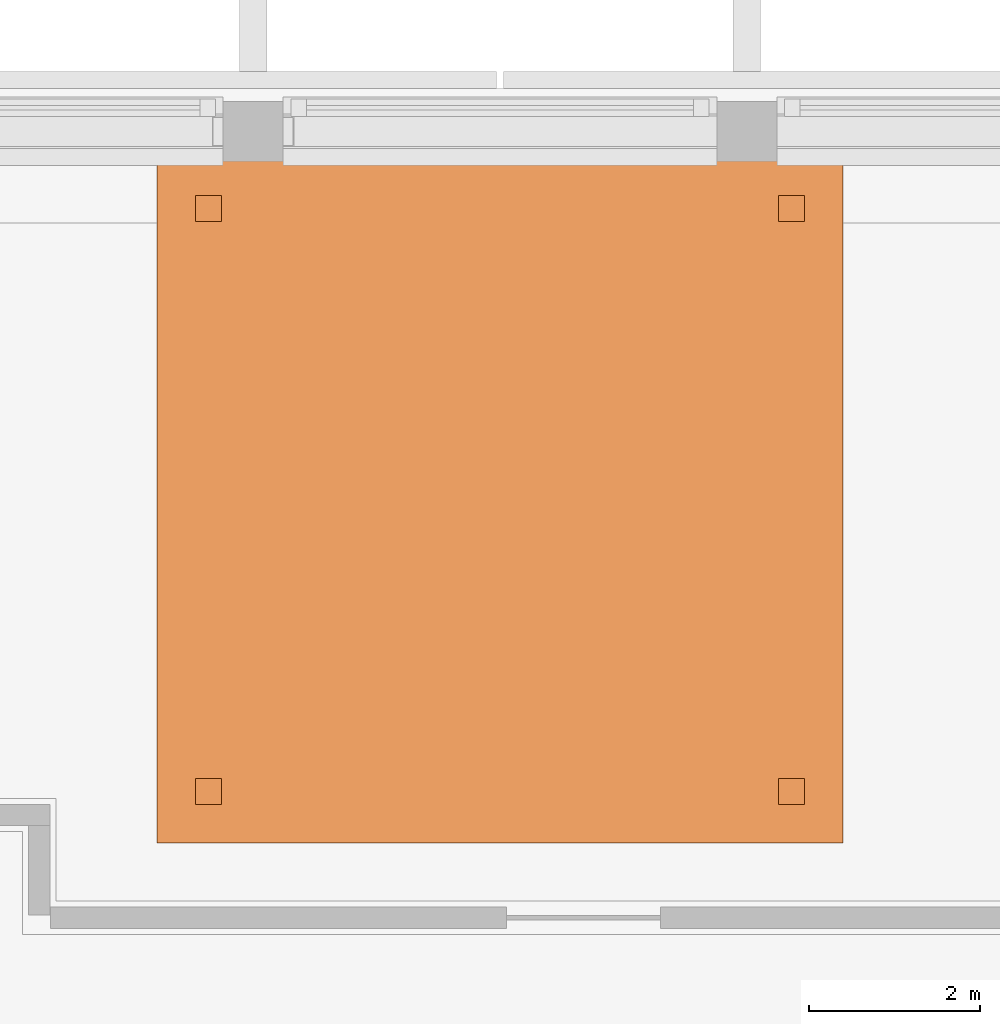
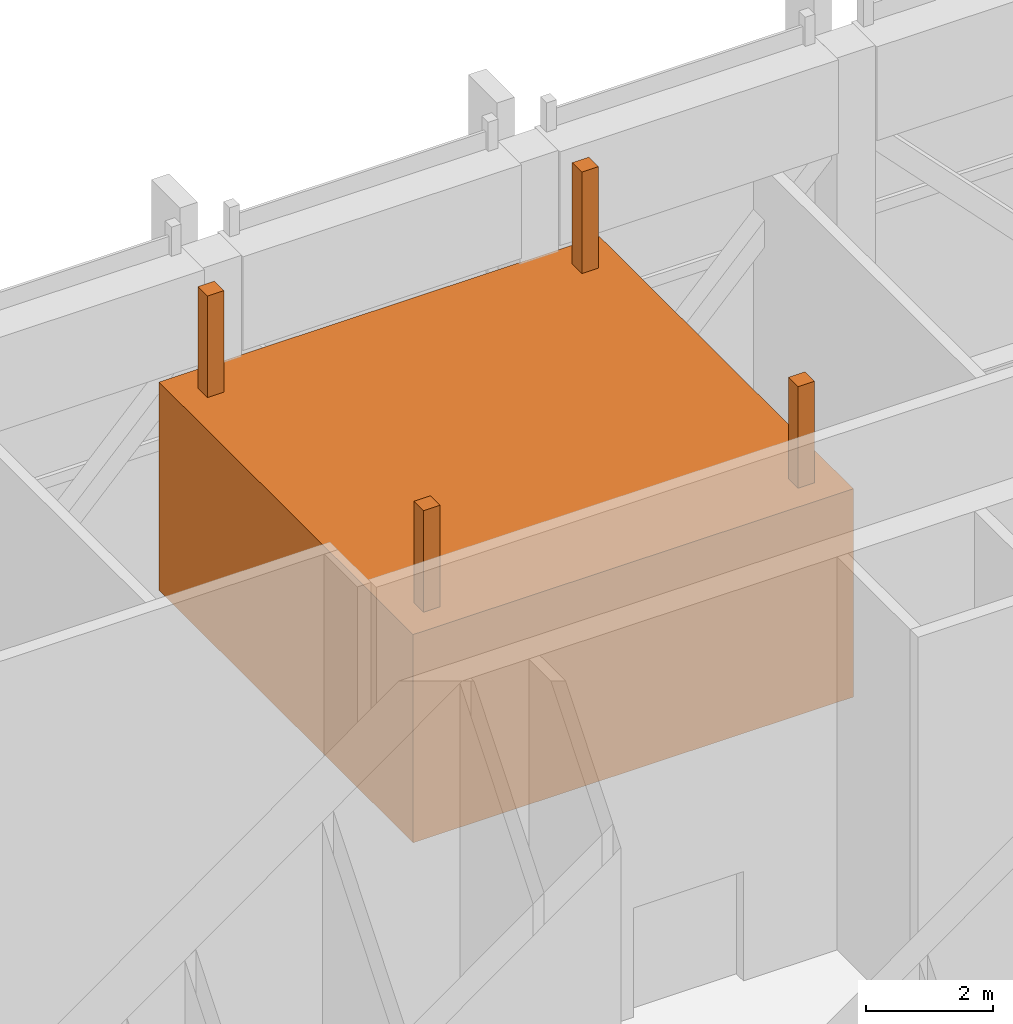
# One storey, part 14 of 14: 5 proxies.
"""IFC4 building model written with IfcOpenShell, lengths in metres."""

from ifc_helpers import new_model, si_unit, direction, frame, origin, origin_2d, place, context, subcontext, project, spatial, rectangle, extrude, material, type_object, element, save


model = new_model("IFC4")

# Units and contexts
model_context = context("Model", 3, precision=1e-05, world=origin(), true_north=direction((0.0, 1.0)))
body_context = subcontext(model_context, "Body", "Model", "MODEL_VIEW")
ifc_project = project(units=[si_unit("LENGTHUNIT", "METRE"), si_unit("AREAUNIT", "SQUARE_METRE"), si_unit("VOLUMEUNIT", "CUBIC_METRE"), si_unit("PLANEANGLEUNIT", "RADIAN"), si_unit("MASSUNIT", "GRAM", prefix="KILO")], contexts=[model_context])

# Site, building, storey
site_placement = place(None, origin())
site = spatial("IfcSite", under=ifc_project, at=site_placement, CompositionType="ELEMENT")
building_placement = place(site_placement, origin())
building = spatial("IfcBuilding", under=site, at=building_placement, Name="Quipu Civic Tower", CompositionType="ELEMENT")
storey_placement = place(building_placement, frame((0.0, 0.0, 355.0)))
storey = spatial("IfcBuildingStorey", under=building, at=storey_placement, Name="L83", CompositionType="ELEMENT", Elevation=355.0)

# Proxies
ifc_material_1 = material(Name="Steel S355", Category="steel")
building_element_proxy_type_1 = type_object("IfcBuildingElementProxyType", Name="Damper hanger", PredefinedType="NOTDEFINED", material=ifc_material_1)
for number, where, z_axis, x_axis, name in (
    (1, (-3.39990234375, 2.800048828125, 5.60009765625), (0.0, 0.0, 1.0), (1.0, 0.0, 0.0), "Damper hanger 1"),
    (2, (3.39990234375, 2.800048828125, 5.60009765625), (0.0, 0.0, 1.0), (1.0, 0.0, 0.0), "Damper hanger 2"),
    (3, (3.39990234375, 9.60009765625, 5.60009765625), (0.0, 0.0, 1.0), (1.0, 0.0, 0.0), "Damper hanger 3"),
    (4, (-3.39990234375, 9.60009765625, 5.60009765625), (0.0, 0.0, 1.0), (1.0, 0.0, 0.0), "Damper hanger 4"),
):
    element("IfcBuildingElementProxy", number, at=place(storey_placement, frame(where, z_axis=z_axis, x_axis=x_axis)), inside=storey, type_object=building_element_proxy_type_1, Name=name, PredefinedType="NOTDEFINED", context=body_context, shape_type="SweptSolid", body=[
        extrude(rectangle(XDim=0.300048828125, YDim=0.300048828125, at=origin_2d()), origin(), (0.0, 0.0, 1.0), 1.949951171875),
    ])
ifc_material_2 = material(Name="Steel S355", Category="steel")
building_element_proxy_type_2 = type_object("IfcBuildingElementProxyType", Name="Tuned mass damper", PredefinedType="NOTDEFINED", material=ifc_material_2)
proxy_placement = place(storey_placement, frame((0.0, 6.199951171875, 1.60009765625), z_axis=(0.0, 0.0, 1.0), x_axis=(1.0, 0.0, 0.0)))
element("IfcBuildingElementProxy", 5, at=proxy_placement, inside=storey, type_object=building_element_proxy_type_2, Name="Tuned mass damper TMD-1", PredefinedType="NOTDEFINED", context=body_context, shape_type="SweptSolid", body=[
    extrude(rectangle(XDim=8.0, YDim=8.0, at=origin_2d()), origin(), (0.0, 0.0, 1.0), 4.0),
])

save(model, "model.ifc")
